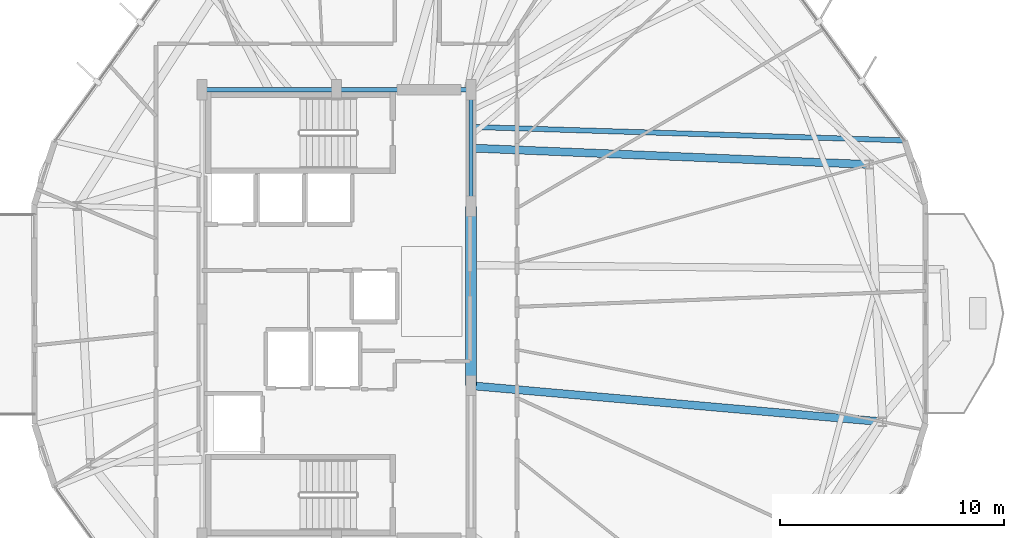
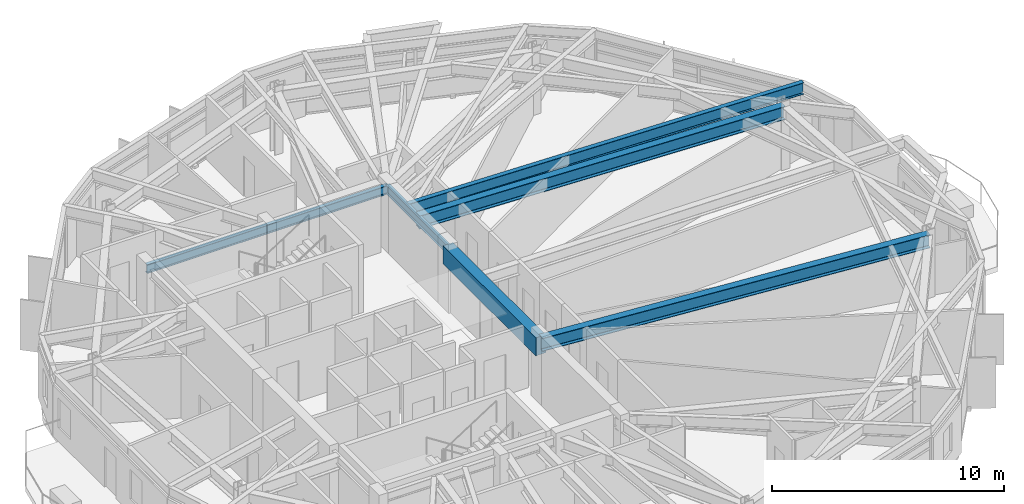
# One storey, part 10 of 31: 7 beams.
"""IFC4 building model written with IfcOpenShell, lengths in metres."""

from ifc_helpers import new_model, si_unit, direction, frame, origin, origin_2d, place, context, subcontext, project, spatial, rectangle, i_section, extrude, material, material_profile, profile_set, type_object, element, save


model = new_model("IFC4")

# Units and contexts
model_context = context("Model", 3, precision=1e-05, world=origin(), true_north=direction((0.0, 1.0)))
body_context = subcontext(model_context, "Body", "Model", "MODEL_VIEW")
ifc_project = project(units=[si_unit("LENGTHUNIT", "METRE"), si_unit("AREAUNIT", "SQUARE_METRE"), si_unit("VOLUMEUNIT", "CUBIC_METRE"), si_unit("PLANEANGLEUNIT", "RADIAN"), si_unit("MASSUNIT", "GRAM", prefix="KILO")], contexts=[model_context])

# Site, building, storey
site_placement = place(None, origin())
site = spatial("IfcSite", under=ifc_project, at=site_placement, CompositionType="ELEMENT")
building_placement = place(site_placement, origin())
building = spatial("IfcBuilding", under=site, at=building_placement, Name="Soratama Intermodal Tower", CompositionType="ELEMENT")
storey_placement = place(building_placement, frame((0.0, 0.0, 230.199951171875)))
storey = spatial("IfcBuildingStorey", under=building, at=storey_placement, Name="L58", CompositionType="ELEMENT", Elevation=230.199951171875)

# Beams
ifc_material_1 = material(Name="Concrete f'c 56 MPa", Category="concrete")
ifc_material_profile_1 = material_profile(ifc_material_1, rectangle(XDim=0.5, YDim=0.949951171875, at=origin_2d()), Name="RC500X950")
ifc_profile_set_1 = profile_set([ifc_material_profile_1], Name="Concrete f'c 56 MPa")
beam_type_1 = type_object("IfcBeamType", Name="BM-CPL-RC500X950", PredefinedType="BEAM", material=ifc_profile_set_1)
beam_1_placement = place(storey_placement, frame((44.60009765625, 21.800048828125, 2.824951171875), z_axis=(0.0, 1.0, 0.0), x_axis=(-1.0, 0.0, 0.0)))
element("IfcBeam", 1, at=beam_1_placement, inside=storey, type_object=beam_type_1, Name="L58 Core Coupling Beam East", PredefinedType="BEAM", context=body_context, shape_type="SweptSolid", body=[
    extrude(rectangle(XDim=0.5, YDim=0.949951171875, at=origin_2d()), origin(), (0.0, 0.0, 1.0), 8.0),
])
ifc_material_2 = material(Name="Structural steel ASTM A992 Grade 50", Category="steel")
ifc_material_profile_2 = material_profile(ifc_material_2, i_section(OverallWidth=0.19091796875, OverallDepth=0.4599609375, WebThickness=0.010009765625, FlangeThickness=0.01611328125, FilletRadius=0.010986328125, at=origin_2d()), Name="W18X55")
ifc_profile_set_2 = profile_set([ifc_material_profile_2], Name="Structural steel ASTM A992 Grade 50")
beam_type_2 = type_object("IfcBeamType", Name="BM-FLR-W18X55", PredefinedType="BEAM", material=ifc_profile_set_2)
beam_2_placement = place(storey_placement, frame((44.60009765625, 29.800048828125, 3.070068359375), z_axis=(0.0, 1.0, 0.0), x_axis=(-1.0, 0.0, 0.0)))
element("IfcBeam", 2, at=beam_2_placement, inside=storey, type_object=beam_type_2, Name="BM-L58-CRING-05", PredefinedType="BEAM", context=body_context, shape_type="SweptSolid", body=[
    extrude(i_section(OverallWidth=0.19091796875, OverallDepth=0.4599609375, WebThickness=0.010009765625, FlangeThickness=0.01611328125, FilletRadius=0.010986328125, at=origin_2d()), origin(), (0.0, 0.0, 1.0), 5.199951171875),
])
for number, where, z_axis, x_axis, name in (
    (3, (44.60009765625, 35.0, 3.070068359375), (-1.0, 0.0, 0.0), (0.0, -1.0, 0.0), "BM-L58-CRING-06"),
    (4, (38.60009765625, 35.0, 3.070068359375), (-1.0, 0.0, 0.0), (0.0, -1.0, 0.0), "BM-L58-CRING-07"),
):
    element("IfcBeam", number, at=place(storey_placement, frame(where, z_axis=z_axis, x_axis=x_axis)), inside=storey, type_object=beam_type_2, Name=name, PredefinedType="BEAM", context=body_context, shape_type="SweptSolid", body=[
        extrude(i_section(OverallWidth=0.19091796875, OverallDepth=0.4599609375, WebThickness=0.010009765625, FlangeThickness=0.01611328125, FilletRadius=0.010986328125, at=origin_2d()), origin(), (0.0, 0.0, 1.0), 6.0),
    ])
ifc_material_3 = material(Name="Structural steel ASTM A992 Grade 50", Category="steel")
ifc_material_profile_3 = material_profile(ifc_material_3, i_section(OverallWidth=0.35498046875, OverallDepth=0.695068359375, WebThickness=0.015380859375, FlangeThickness=0.02490234375, FilletRadius=0.01611328125, at=origin_2d()), Name="W27X146")
ifc_profile_set_3 = profile_set([ifc_material_profile_3], Name="Structural steel ASTM A992 Grade 50")
beam_type_3 = type_object("IfcBeamType", Name="BM-RING-W27X146", PredefinedType="BEAM", material=ifc_profile_set_3)
beam_3_placement = place(storey_placement, frame((44.60009765625, 32.39990234375, 2.95263671875), z_axis=(0.999147788389, -0.041275864109, 0.0), x_axis=(0.041275864109, 0.999147788389, 0.0)))
element("IfcBeam", 5, at=beam_3_placement, inside=storey, type_object=beam_type_3, Name="BM-L58-RAD-01", PredefinedType="BEAM", context=body_context, shape_type="SweptSolid", body=[
    extrude(i_section(OverallWidth=0.35498046875, OverallDepth=0.695068359375, WebThickness=0.015380859375, FlangeThickness=0.02490234375, FilletRadius=0.01611328125, at=origin_2d()), origin(), (0.0, 0.0, 1.0), 17.780029296875),
])
beam_4_placement = place(storey_placement, frame((44.60009765625, 21.800048828125, 2.95263671875), z_axis=(0.996160716813, -0.087543282317, 0.0), x_axis=(0.087543282317, 0.996160716813, 0.0)))
element("IfcBeam", 6, at=beam_4_placement, inside=storey, type_object=beam_type_3, Name="BM-L58-RAD-10", PredefinedType="BEAM", context=body_context, shape_type="SweptSolid", body=[
    extrude(i_section(OverallWidth=0.35498046875, OverallDepth=0.695068359375, WebThickness=0.015380859375, FlangeThickness=0.02490234375, FilletRadius=0.01611328125, at=origin_2d()), origin(), (0.0, 0.0, 1.0), 18.436767578125),
])
ifc_material_4 = material(Name="Structural steel ASTM A992 Grade 50", Category="steel")
ifc_material_profile_4 = material_profile(ifc_material_4, i_section(OverallWidth=0.22900390625, OverallDepth=0.612060546875, WebThickness=0.011962890625, FlangeThickness=0.01953125, FilletRadius=0.012939453125, at=origin_2d()), Name="W24X84")
ifc_profile_set_4 = profile_set([ifc_material_profile_4], Name="Structural steel ASTM A992 Grade 50")
beam_type_4 = type_object("IfcBeamType", Name="BM-TIE-W24X84", PredefinedType="BEAM", material=ifc_profile_set_4)
beam_5_placement = place(storey_placement, frame((44.639892578125, 33.342041015625, 2.994140625), z_axis=(0.999514415517, -0.03115980062, 0.0), x_axis=(0.03115980062, 0.999514415517, 0.0)))
element("IfcBeam", 7, at=beam_5_placement, inside=storey, type_object=beam_type_4, Name="BM-L58-TIE0-10", PredefinedType="BEAM", context=body_context, shape_type="SweptSolid", body=[
    extrude(i_section(OverallWidth=0.22900390625, OverallDepth=0.612060546875, WebThickness=0.011962890625, FlangeThickness=0.01953125, FilletRadius=0.012939453125, at=origin_2d()), origin(), (0.0, 0.0, 1.0), 19.3212890625),
])

save(model, "model.ifc")
